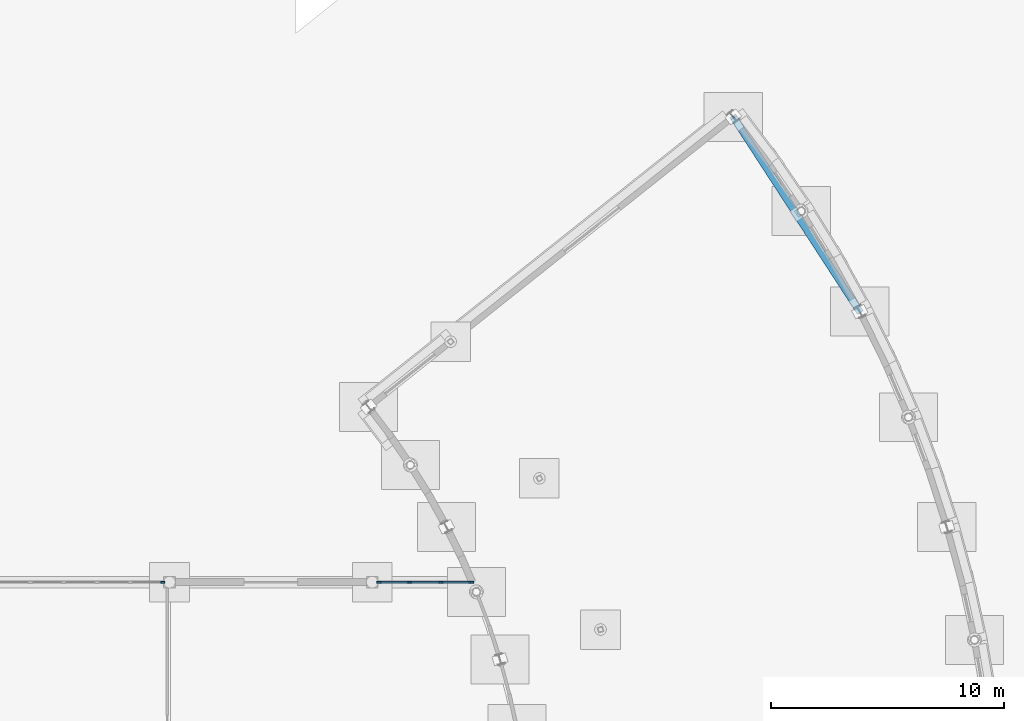
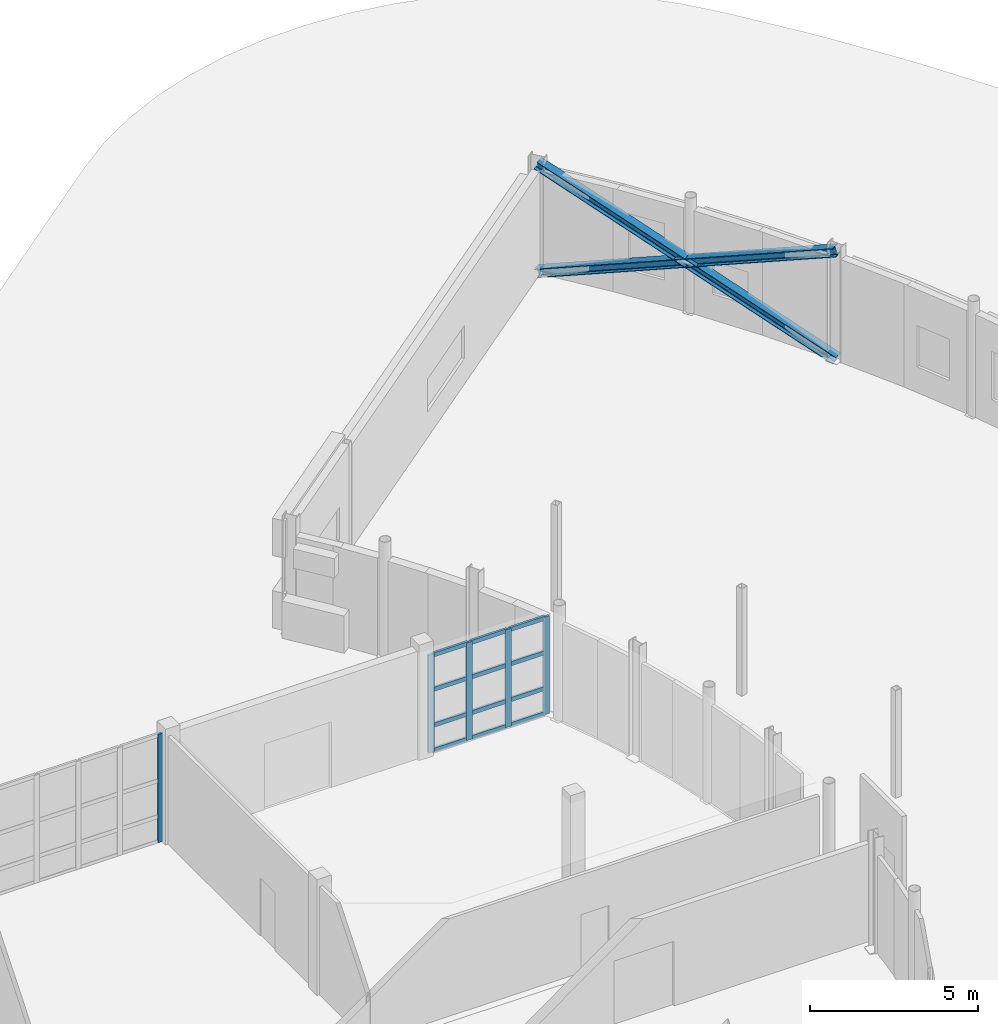
# One storey, part 40 of 88: 20 members, 2 elements without a shape of their own.
"""IFC4 building model written with IfcOpenShell, lengths in metres."""

from ifc_helpers import new_model, si_unit, direction, frame, origin, origin_2d, place, context, subcontext, project, spatial, rectangle, i_section, extrude, material, material_profile, profile_set, type_object, element, aggregate, save


model = new_model("IFC4")

# Units and contexts
model_context = context("Model", 3, precision=1e-05, world=origin(), true_north=direction((0.0, 1.0)))
body_context = subcontext(model_context, "Body", "Model", "MODEL_VIEW")
ifc_project = project(units=[si_unit("LENGTHUNIT", "METRE"), si_unit("AREAUNIT", "SQUARE_METRE"), si_unit("VOLUMEUNIT", "CUBIC_METRE"), si_unit("PLANEANGLEUNIT", "RADIAN"), si_unit("MASSUNIT", "GRAM", prefix="KILO")], contexts=[model_context])

# Site, building, storey
site_placement = place(None, origin())
site = spatial("IfcSite", under=ifc_project, at=site_placement, CompositionType="ELEMENT")
building_placement = place(site_placement, origin())
building = spatial("IfcBuilding", under=site, at=building_placement, Name="Vanh Quang Courtyard School", CompositionType="ELEMENT")
storey_placement = place(building_placement, origin())
storey = spatial("IfcBuildingStorey", under=building, at=storey_placement, Name="L00", CompositionType="ELEMENT", Elevation=0.0)

# Curtain wall, member
ifc_material_1 = material(Name="Thermally broken aluminium unitised curtain wall", Category="aluminium")
curtain_wall_type_1 = type_object("IfcCurtainWallType", Name="CW-SYS-03", PredefinedType="NOTDEFINED", material=ifc_material_1)
curtain_wall_1_placement = place(storey_placement, origin())
curtain_wall_1 = element("IfcCurtainWall", 1, at=curtain_wall_1_placement, inside=storey, type_object=curtain_wall_type_1, Name="Curtain Wall CW-03 (L00)", PredefinedType="NOTDEFINED")
ifc_material_2 = material(Name="Anodised aluminium 6063-T6", Category="aluminium")
ifc_material_profile_1 = material_profile(ifc_material_2, rectangle(XDim=0.070068359375, YDim=0.179931640625, at=origin_2d()), Name="ALU-MUL 70x180")
ifc_profile_set_1 = profile_set([ifc_material_profile_1], Name="Anodised aluminium 6063-T6")
member_type_1 = type_object("IfcMemberType", Name="CW-MUL-70x180", PredefinedType="MULLION", material=ifc_profile_set_1)
member_1_placement = place(storey_placement, frame((128.20703125, 68.39990234375, 0.0), z_axis=(0.0, 0.0, 1.0), x_axis=(0.0, 1.0, 0.0)))
member_1 = element("IfcMember", 2, at=member_1_placement, type_object=member_type_1, Name="CW-03 mullion 7", PredefinedType="MULLION", context=body_context, shape_type="SweptSolid", body=[
    extrude(rectangle(XDim=0.070068359375, YDim=0.179931640625, at=origin_2d()), origin(), (0.0, 0.0, 1.0), 3.919921875),
])
aggregate(curtain_wall_1, [member_1])

# Curtain wall, members
curtain_wall_type_2 = type_object("IfcCurtainWallType", Name="CW-SYS-04", PredefinedType="NOTDEFINED", material=ifc_material_1)
curtain_wall_2_placement = place(storey_placement, origin())
curtain_wall_2 = element("IfcCurtainWall", 3, at=curtain_wall_2_placement, inside=storey, type_object=curtain_wall_type_2, Name="Curtain Wall CW-04 (L00)", PredefinedType="NOTDEFINED")
ifc_material_profile_2 = material_profile(ifc_material_2, rectangle(XDim=0.080078125, YDim=0.199951171875, at=origin_2d()), Name="ALU-MUL 80x200")
ifc_profile_set_2 = profile_set([ifc_material_profile_2], Name="Anodised aluminium 6063-T6")
member_type_2 = type_object("IfcMemberType", Name="CW-MUL-80x200", PredefinedType="MULLION", material=ifc_profile_set_2)
member_2_placement = place(storey_placement, frame((137.498046875, 68.39990234375, 0.0), z_axis=(0.0, 0.0, 1.0), x_axis=(0.0, 1.0, 0.0)))
member_2 = element("IfcMember", 4, at=member_2_placement, type_object=member_type_2, Name="CW-04 mullion 1", PredefinedType="MULLION", context=body_context, shape_type="SweptSolid", body=[
    extrude(rectangle(XDim=0.080078125, YDim=0.199951171875, at=origin_2d()), origin(), (0.0, 0.0, 1.0), 3.5400390625),
])
member_3_placement = place(storey_placement, frame((138.802490234375, 68.39990234375, 0.0), z_axis=(0.0, 0.0, 1.0), x_axis=(0.0, 1.0, 0.0)))
member_3 = element("IfcMember", 5, at=member_3_placement, type_object=member_type_2, Name="CW-04 mullion 2", PredefinedType="MULLION", context=body_context, shape_type="SweptSolid", body=[
    extrude(rectangle(XDim=0.080078125, YDim=0.199951171875, at=origin_2d()), origin(), (0.0, 0.0, 1.0), 3.5400390625),
])
member_4_placement = place(storey_placement, frame((140.14697265625, 68.39990234375, 0.0), z_axis=(0.0, 0.0, 1.0), x_axis=(0.0, 1.0, 0.0)))
member_4 = element("IfcMember", 6, at=member_4_placement, type_object=member_type_2, Name="CW-04 mullion 3", PredefinedType="MULLION", context=body_context, shape_type="SweptSolid", body=[
    extrude(rectangle(XDim=0.080078125, YDim=0.199951171875, at=origin_2d()), origin(), (0.0, 0.0, 1.0), 3.5400390625),
])
member_5_placement = place(storey_placement, frame((141.45166015625, 68.39990234375, 0.0), z_axis=(0.0, 0.0, 1.0), x_axis=(0.0, 1.0, 0.0)))
member_5 = element("IfcMember", 7, at=member_5_placement, type_object=member_type_2, Name="CW-04 mullion 4", PredefinedType="MULLION", context=body_context, shape_type="SweptSolid", body=[
    extrude(rectangle(XDim=0.080078125, YDim=0.199951171875, at=origin_2d()), origin(), (0.0, 0.0, 1.0), 3.5400390625),
])
ifc_material_profile_3 = material_profile(ifc_material_2, rectangle(XDim=0.080078125, YDim=0.14990234375, at=origin_2d()), Name="ALU-TRN 80x150")
ifc_profile_set_3 = profile_set([ifc_material_profile_3], Name="Anodised aluminium 6063-T6")
member_type_3 = type_object("IfcMemberType", Name="CW-TRN-80x150", PredefinedType="USERDEFINED", material=ifc_profile_set_3)
member_6_placement = place(storey_placement, frame((137.5380859375, 68.39990234375, 0.0400390625), z_axis=(1.0, 0.0, 0.0), x_axis=(0.0, 1.0, 0.0)))
member_6 = element("IfcMember", 8, at=member_6_placement, type_object=member_type_3, Name="CW-04 transom 1.1", ObjectType="TRANSOM", PredefinedType="USERDEFINED", context=body_context, shape_type="SweptSolid", body=[
    extrude(rectangle(XDim=0.080078125, YDim=0.14990234375, at=origin_2d()), origin(), (0.0, 0.0, 1.0), 1.224365234375),
])
member_7_placement = place(storey_placement, frame((137.5380859375, 68.39990234375, 0.949951171875), z_axis=(1.0, 0.0, 0.0), x_axis=(0.0, 1.0, 0.0)))
member_7 = element("IfcMember", 9, at=member_7_placement, type_object=member_type_3, Name="CW-04 transom 1.2", ObjectType="TRANSOM", PredefinedType="USERDEFINED", context=body_context, shape_type="SweptSolid", body=[
    extrude(rectangle(XDim=0.080078125, YDim=0.14990234375, at=origin_2d()), origin(), (0.0, 0.0, 1.0), 1.224365234375),
])
member_8_placement = place(storey_placement, frame((137.5380859375, 68.39990234375, 2.25), z_axis=(1.0, 0.0, 0.0), x_axis=(0.0, 1.0, 0.0)))
member_8 = element("IfcMember", 10, at=member_8_placement, type_object=member_type_3, Name="CW-04 transom 1.3", ObjectType="TRANSOM", PredefinedType="USERDEFINED", context=body_context, shape_type="SweptSolid", body=[
    extrude(rectangle(XDim=0.080078125, YDim=0.14990234375, at=origin_2d()), origin(), (0.0, 0.0, 1.0), 1.224365234375),
])
member_9_placement = place(storey_placement, frame((137.5380859375, 68.39990234375, 3.5), z_axis=(1.0, 0.0, 0.0), x_axis=(0.0, 1.0, 0.0)))
member_9 = element("IfcMember", 11, at=member_9_placement, type_object=member_type_3, Name="CW-04 transom 1.4", ObjectType="TRANSOM", PredefinedType="USERDEFINED", context=body_context, shape_type="SweptSolid", body=[
    extrude(rectangle(XDim=0.080078125, YDim=0.14990234375, at=origin_2d()), origin(), (0.0, 0.0, 1.0), 1.224365234375),
])
member_10_placement = place(storey_placement, frame((138.842529296875, 68.39990234375, 0.0400390625), z_axis=(1.0, 0.0, 0.0), x_axis=(0.0, 1.0, 0.0)))
member_10 = element("IfcMember", 12, at=member_10_placement, type_object=member_type_3, Name="CW-04 transom 2.1", ObjectType="TRANSOM", PredefinedType="USERDEFINED", context=body_context, shape_type="SweptSolid", body=[
    extrude(rectangle(XDim=0.080078125, YDim=0.14990234375, at=origin_2d()), origin(), (0.0, 0.0, 1.0), 1.2646484375),
])
member_11_placement = place(storey_placement, frame((138.842529296875, 68.39990234375, 0.949951171875), z_axis=(1.0, 0.0, 0.0), x_axis=(0.0, 1.0, 0.0)))
member_11 = element("IfcMember", 13, at=member_11_placement, type_object=member_type_3, Name="CW-04 transom 2.2", ObjectType="TRANSOM", PredefinedType="USERDEFINED", context=body_context, shape_type="SweptSolid", body=[
    extrude(rectangle(XDim=0.080078125, YDim=0.14990234375, at=origin_2d()), origin(), (0.0, 0.0, 1.0), 1.2646484375),
])
member_12_placement = place(storey_placement, frame((138.842529296875, 68.39990234375, 2.25), z_axis=(1.0, 0.0, 0.0), x_axis=(0.0, 1.0, 0.0)))
member_12 = element("IfcMember", 14, at=member_12_placement, type_object=member_type_3, Name="CW-04 transom 2.3", ObjectType="TRANSOM", PredefinedType="USERDEFINED", context=body_context, shape_type="SweptSolid", body=[
    extrude(rectangle(XDim=0.080078125, YDim=0.14990234375, at=origin_2d()), origin(), (0.0, 0.0, 1.0), 1.2646484375),
])
member_13_placement = place(storey_placement, frame((138.842529296875, 68.39990234375, 3.5), z_axis=(1.0, 0.0, 0.0), x_axis=(0.0, 1.0, 0.0)))
member_13 = element("IfcMember", 15, at=member_13_placement, type_object=member_type_3, Name="CW-04 transom 2.4", ObjectType="TRANSOM", PredefinedType="USERDEFINED", context=body_context, shape_type="SweptSolid", body=[
    extrude(rectangle(XDim=0.080078125, YDim=0.14990234375, at=origin_2d()), origin(), (0.0, 0.0, 1.0), 1.2646484375),
])
member_14_placement = place(storey_placement, frame((140.18701171875, 68.39990234375, 0.0400390625), z_axis=(1.0, 0.0, 0.0), x_axis=(0.0, 1.0, 0.0)))
member_14 = element("IfcMember", 16, at=member_14_placement, type_object=member_type_3, Name="CW-04 transom 3.1", ObjectType="TRANSOM", PredefinedType="USERDEFINED", context=body_context, shape_type="SweptSolid", body=[
    extrude(rectangle(XDim=0.080078125, YDim=0.14990234375, at=origin_2d()), origin(), (0.0, 0.0, 1.0), 1.224609375),
])
member_15_placement = place(storey_placement, frame((140.18701171875, 68.39990234375, 0.949951171875), z_axis=(1.0, 0.0, 0.0), x_axis=(0.0, 1.0, 0.0)))
member_15 = element("IfcMember", 17, at=member_15_placement, type_object=member_type_3, Name="CW-04 transom 3.2", ObjectType="TRANSOM", PredefinedType="USERDEFINED", context=body_context, shape_type="SweptSolid", body=[
    extrude(rectangle(XDim=0.080078125, YDim=0.14990234375, at=origin_2d()), origin(), (0.0, 0.0, 1.0), 1.224609375),
])
member_16_placement = place(storey_placement, frame((140.18701171875, 68.39990234375, 2.25), z_axis=(1.0, 0.0, 0.0), x_axis=(0.0, 1.0, 0.0)))
member_16 = element("IfcMember", 18, at=member_16_placement, type_object=member_type_3, Name="CW-04 transom 3.3", ObjectType="TRANSOM", PredefinedType="USERDEFINED", context=body_context, shape_type="SweptSolid", body=[
    extrude(rectangle(XDim=0.080078125, YDim=0.14990234375, at=origin_2d()), origin(), (0.0, 0.0, 1.0), 1.224609375),
])
member_17_placement = place(storey_placement, frame((140.18701171875, 68.39990234375, 3.5), z_axis=(1.0, 0.0, 0.0), x_axis=(0.0, 1.0, 0.0)))
member_17 = element("IfcMember", 19, at=member_17_placement, type_object=member_type_3, Name="CW-04 transom 3.4", ObjectType="TRANSOM", PredefinedType="USERDEFINED", context=body_context, shape_type="SweptSolid", body=[
    extrude(rectangle(XDim=0.080078125, YDim=0.14990234375, at=origin_2d()), origin(), (0.0, 0.0, 1.0), 1.224609375),
])
aggregate(curtain_wall_2, [member_2, member_3, member_4, member_5, member_6, member_7, member_8, member_9, member_10, member_11, member_12, member_13, member_14, member_15, member_16, member_17])

# Members
ifc_material_3 = material(Name="Structural steel EN 10025-2 S355J2", Category="steel")
ifc_material_profile_4 = material_profile(ifc_material_3, i_section(OverallWidth=0.300048828125, OverallDepth=0.300048828125, WebThickness=0.010986328125, FlangeThickness=0.01904296875, FilletRadius=0.027099609375, at=origin_2d()), Name="HEB 300")
ifc_profile_set_4 = profile_set([ifc_material_profile_4], Name="Structural steel EN 10025-2 S355J2")
member_type_4 = type_object("IfcMemberType", Name="MEM-BRC-HEB300", PredefinedType="BRACE", material=ifc_profile_set_4)
member_18_placement = place(storey_placement, frame((158.12451171875, 80.010986328125, 0.0), z_axis=(-0.506855405775, 0.780489400753, 0.365969797865), x_axis=(-0.83867073359, -0.544638779944, 0.0)))
element("IfcMember", 20, at=member_18_placement, inside=storey, type_object=member_type_4, Name="Structural Member MB-09 (L00)", PredefinedType="BRACE", context=body_context, shape_type="SweptSolid", body=[
    extrude(i_section(OverallWidth=0.300048828125, OverallDepth=0.300048828125, WebThickness=0.010986328125, FlangeThickness=0.01904296875, FilletRadius=0.027099609375, at=origin_2d()), origin(), (0.0, 0.0, 1.0), 10.7109375),
])
for number, where, z_axis, x_axis, name in (
    (21, (152.695556640625, 88.370849609375, 0.0), (0.506872343154, -0.780480383771, 0.365965569821), (0.838659546079, 0.544656006825, 0.0), "Structural Member MB-09 (L00)"),
    (22, (155.41015625, 84.19091796875, 1.9599609375), (0.506838467808, -0.780498417642, 0.365974025865), (0.838681921046, 0.544621552374, 0.0), "Structural Member MB-09 (L00)"),
):
    element("IfcMember", number, at=place(storey_placement, frame(where, z_axis=z_axis, x_axis=x_axis)), inside=storey, type_object=member_type_4, Name=name, PredefinedType="BRACE", context=body_context, shape_type="SweptSolid", body=[
        extrude(i_section(OverallWidth=0.300048828125, OverallDepth=0.300048828125, WebThickness=0.010986328125, FlangeThickness=0.01904296875, FilletRadius=0.027099609375, at=origin_2d()), origin(), (0.0, 0.0, 1.0), 5.35546875),
    ])

save(model, "model.ifc")
